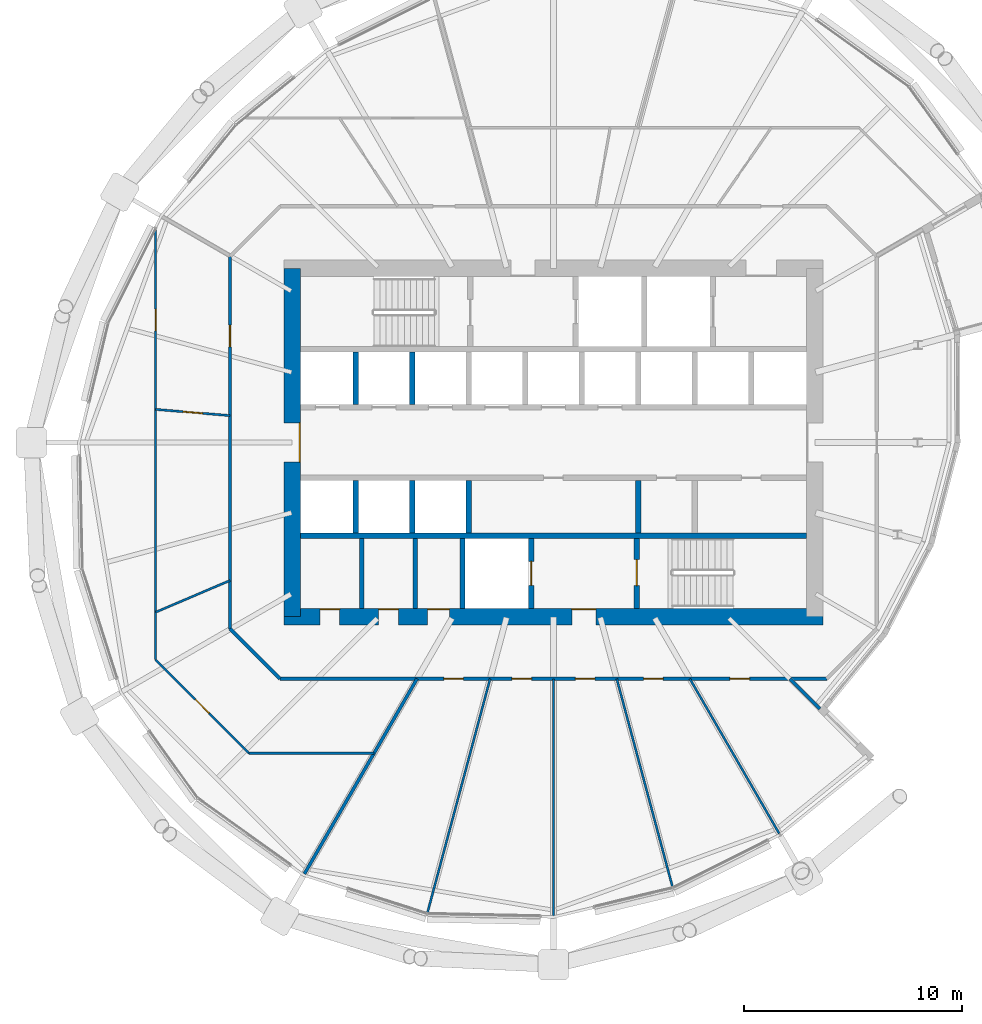
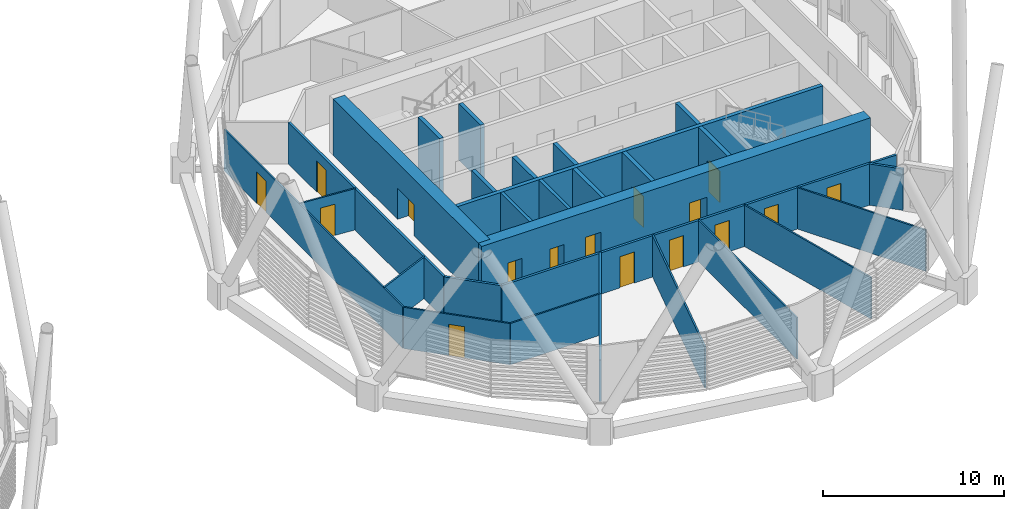
# One storey, part 30 of 39: 28 walls, 16 doors, 16 openings.
"""IFC4 building model written with IfcOpenShell, lengths in metres."""

from ifc_helpers import new_model, si_unit, direction, frame, frame_2d, origin, place, context, subcontext, project, spatial, rectangle, extrude, material, layer, layer_set, type_object, element, fill, save


model = new_model("IFC4")

# Units and contexts
model_context = context("Model", 3, precision=1e-05, world=origin(), true_north=direction((0.0, 1.0)))
body_context = subcontext(model_context, "Body", "Model", "MODEL_VIEW")
ifc_project = project(units=[si_unit("LENGTHUNIT", "METRE"), si_unit("AREAUNIT", "SQUARE_METRE"), si_unit("VOLUMEUNIT", "CUBIC_METRE"), si_unit("PLANEANGLEUNIT", "RADIAN"), si_unit("MASSUNIT", "GRAM", prefix="KILO")], contexts=[model_context])

# Site, building, storey
site_placement = place(None, origin())
site = spatial("IfcSite", under=ifc_project, at=site_placement, CompositionType="ELEMENT")
building_placement = place(site_placement, origin())
building = spatial("IfcBuilding", under=site, at=building_placement, Name="Rimbun Link Towers", CompositionType="ELEMENT")
storey_placement = place(building_placement, frame((0.0, 0.0, 115.800048828125)))
storey = spatial("IfcBuildingStorey", under=building, at=storey_placement, Name="L28", CompositionType="ELEMENT", Elevation=115.800048828125)

# Walls
ifc_material_1 = material(Name="Masonry blockwork", Category="masonry")
ifc_layer_1 = layer(ifc_material_1, 0.199951171875)
ifc_layer_set_1 = layer_set([ifc_layer_1], Name="Core partition 200")
wall_type_1 = type_object("IfcWallType", Name="Core partition 200", PredefinedType="PARTITIONING", material=ifc_layer_set_1)
for number, where, z_axis, x_axis, name in (
    (1, (22.949951171875, -4.39990234375, 0.0), (0.0, 0.0, 1.0), (0.0, -1.0, 0.0), "L28 T2 core wall C1"),
    (2, (25.39990234375, -4.39990234375, 0.0), (0.0, 0.0, 1.0), (0.0, -1.0, 0.0), "L28 T2 core wall C2"),
):
    element("IfcWall", number, at=place(storey_placement, frame(where, z_axis=z_axis, x_axis=x_axis)), inside=storey, type_object=wall_type_1, Name=name, PredefinedType="PARTITIONING", context=body_context, shape_type="SweptSolid", body=[
        extrude(rectangle(XDim=3.22509765625, YDim=0.199951171875, at=frame_2d((1.612548828125, 0.0))), origin(), (0.0, 0.0, 1.0), 3.800048828125),
    ])

# Wall, openings, doors
ifc_material_2 = material(Name="Concrete C60/75", Category="concrete")
ifc_layer_2 = layer(ifc_material_2, 0.75)
ifc_layer_set_2 = layer_set([ifc_layer_2], Name="Core shear wall 750")
wall_type_2 = type_object("IfcWallType", Name="Core shear wall 750", PredefinedType="SHEAR", material=ifc_layer_set_2)
wall_1_placement = place(storey_placement, frame((19.375, -8.0, 0.0), z_axis=(0.0, 0.0, 1.0), x_axis=(1.0, 0.0, 0.0)))
wall_1 = element("IfcWall", 3, at=wall_1_placement, inside=storey, type_object=wall_type_2, Name="L28 T2 core wall S", PredefinedType="SHEAR", context=body_context, shape_type="SweptSolid", body=[
    extrude(rectangle(XDim=24.75, YDim=0.75, at=frame_2d((12.375, 0.0))), origin(), (0.0, 0.0, 1.0), 3.800048828125),
])
opening_1_placement = place(wall_1_placement, frame((13.22509765625, 0.0, 0.0)))
opening_1 = element("IfcOpeningElement", 4, at=opening_1_placement, cuts=wall_1, Name="Opening C2DCF01S", PredefinedType="OPENING", context=body_context, shape_type="SweptSolid", body=[
    extrude(rectangle(XDim=1.10009765625, YDim=2.10009765625, at=frame_2d((0.550048828125, 1.050048828125))), frame((0.0, 0.385009765625, 0.0), z_axis=(0.0, -1.0, 0.0), x_axis=(1.0, 0.0, 0.0)), (0.0, 0.0, 1.0), 0.77001953125),
])
opening_2_placement = place(wall_1_placement, frame((1.66259765625, 0.0, 0.0)))
opening_2 = element("IfcOpeningElement", 5, at=opening_2_placement, cuts=wall_1, Name="Opening C2DWC02S", PredefinedType="OPENING", context=body_context, shape_type="SweptSolid", body=[
    extrude(rectangle(XDim=0.89990234375, YDim=2.10009765625, at=frame_2d((0.449951171875, 1.050048828125))), frame((0.0, 0.385009765625, 0.0), z_axis=(0.0, -1.0, 0.0), x_axis=(1.0, 0.0, 0.0)), (0.0, 0.0, 1.0), 0.77001953125),
])
opening_3_placement = place(wall_1_placement, frame((4.35009765625, 0.0, 0.0)))
opening_3 = element("IfcOpeningElement", 6, at=opening_3_placement, cuts=wall_1, Name="Opening C2DWC03S", PredefinedType="OPENING", context=body_context, shape_type="SweptSolid", body=[
    extrude(rectangle(XDim=0.89990234375, YDim=2.10009765625, at=frame_2d((0.449951171875, 1.050048828125))), frame((0.0, 0.385009765625, 0.0), z_axis=(0.0, -1.0, 0.0), x_axis=(1.0, 0.0, 0.0)), (0.0, 0.0, 1.0), 0.77001953125),
])
opening_4_placement = place(wall_1_placement, frame((6.60009765625, 0.0, 0.0)))
opening_4 = element("IfcOpeningElement", 7, at=opening_4_placement, cuts=wall_1, Name="Opening C2DAW04S", PredefinedType="OPENING", context=body_context, shape_type="SweptSolid", body=[
    extrude(rectangle(XDim=1.0, YDim=2.10009765625, at=frame_2d((0.5, 1.050048828125))), frame((0.0, 0.385009765625, 0.0), z_axis=(0.0, -1.0, 0.0), x_axis=(1.0, 0.0, 0.0)), (0.0, 0.0, 1.0), 0.77001953125),
])
ifc_material_3 = material(Name="Timber", Category="wood")
door_type_1 = type_object("IfcDoorType", Name="Accessible WC door", OperationType="SINGLE_SWING_LEFT", PredefinedType="DOOR", material=ifc_material_3)
door_1_placement = place(opening_4_placement, origin())
door_1 = element("IfcDoor", 8, at=door_1_placement, inside=storey, type_object=door_type_1, Name="L28 T2 accessible wc door", OperationType="SINGLE_SWING_RIGHT", OverallHeight=2.10009765625, OverallWidth=1.0, PredefinedType="DOOR", context=body_context, shape_type="SweptSolid", body=[
    extrude(rectangle(XDim=1.0, YDim=2.10009765625, at=frame_2d((0.5, 1.050048828125))), frame((0.0, 0.375, 0.0), z_axis=(0.0, -1.0, 0.0), x_axis=(1.0, 0.0, 0.0)), (0.0, 0.0, 1.0), 0.050048828125),
])
fill(opening_4, door_1)
ifc_material_4 = material(Name="Steel fire door set", Category="steel")
door_type_2 = type_object("IfcDoorType", Name="Core fire door single", OperationType="SINGLE_SWING_LEFT", PredefinedType="DOOR", material=ifc_material_4)
door_2_placement = place(opening_1_placement, origin())
door_2 = element("IfcDoor", 9, at=door_2_placement, inside=storey, type_object=door_type_2, Name="L28 T2 firefighting lobby s door", OperationType="SINGLE_SWING_RIGHT", OverallHeight=2.10009765625, OverallWidth=1.10009765625, PredefinedType="DOOR", context=body_context, shape_type="SweptSolid", body=[
    extrude(rectangle(XDim=1.10009765625, YDim=2.10009765625, at=frame_2d((0.550048828125, 1.050048828125))), frame((0.0, 0.375, 0.0), z_axis=(0.0, -1.0, 0.0), x_axis=(1.0, 0.0, 0.0)), (0.0, 0.0, 1.0), 0.050048828125),
])
fill(opening_1, door_2)
ifc_material_5 = material(Name="Timber", Category="wood")
door_type_3 = type_object("IfcDoorType", Name="WC door", OperationType="SINGLE_SWING_LEFT", PredefinedType="DOOR", material=ifc_material_5)
door_3_placement = place(opening_2_placement, origin())
door_3 = element("IfcDoor", 10, at=door_3_placement, inside=storey, type_object=door_type_3, Name="L28 T2 male wc door", OperationType="SINGLE_SWING_RIGHT", OverallHeight=2.10009765625, OverallWidth=0.89990234375, PredefinedType="DOOR", context=body_context, shape_type="SweptSolid", body=[
    extrude(rectangle(XDim=0.89990234375, YDim=2.10009765625, at=frame_2d((0.449951171875, 1.050048828125))), frame((0.0, 0.375, 0.0), z_axis=(0.0, -1.0, 0.0), x_axis=(1.0, 0.0, 0.0)), (0.0, 0.0, 1.0), 0.050048828125),
])
fill(opening_2, door_3)
door_4_placement = place(opening_3_placement, origin())
door_4 = element("IfcDoor", 11, at=door_4_placement, inside=storey, type_object=door_type_3, Name="L28 T2 female wc door", OperationType="SINGLE_SWING_RIGHT", OverallHeight=2.10009765625, OverallWidth=0.89990234375, PredefinedType="DOOR", context=body_context, shape_type="SweptSolid", body=[
    extrude(rectangle(XDim=0.89990234375, YDim=2.10009765625, at=frame_2d((0.449951171875, 1.050048828125))), frame((0.0, 0.375, 0.0), z_axis=(0.0, -1.0, 0.0), x_axis=(1.0, 0.0, 0.0)), (0.0, 0.0, 1.0), 0.050048828125),
])
fill(opening_3, door_4)

# Wall, opening, door
wall_2_placement = place(storey_placement, frame((19.75, -8.0, 0.0), z_axis=(0.0, 0.0, 1.0), x_axis=(0.0, 1.0, 0.0)))
wall_2 = element("IfcWall", 12, at=wall_2_placement, inside=storey, type_object=wall_type_2, Name="L28 T2 core wall W", PredefinedType="SHEAR", context=body_context, shape_type="SweptSolid", body=[
    extrude(rectangle(XDim=16.0, YDim=0.75, at=frame_2d((8.0, 0.0))), origin(), (0.0, 0.0, 1.0), 3.800048828125),
])
opening_5_placement = place(wall_2_placement, frame((7.10009765625, 0.0, 0.0)))
opening_5 = element("IfcOpeningElement", 13, at=opening_5_placement, cuts=wall_2, Name="Opening C2DCL01W", PredefinedType="OPENING", context=body_context, shape_type="SweptSolid", body=[
    extrude(rectangle(XDim=1.800048828125, YDim=2.10009765625, at=frame_2d((0.89990234375, 1.050048828125))), frame((0.0, 0.385009765625, 0.0), z_axis=(0.0, -1.0, 0.0), x_axis=(1.0, 0.0, 0.0)), (0.0, 0.0, 1.0), 0.77001953125),
])
ifc_material_6 = material(Name="Steel fire door set", Category="steel")
door_type_4 = type_object("IfcDoorType", Name="Core lobby door double", OperationType="DOUBLE_DOOR_SINGLE_SWING", PredefinedType="DOOR", material=ifc_material_6)
door_5_placement = place(opening_5_placement, origin())
door_5 = element("IfcDoor", 14, at=door_5_placement, inside=storey, type_object=door_type_4, Name="L28 T2 lift lobby door", OperationType="DOUBLE_DOOR_SINGLE_SWING", OverallHeight=2.10009765625, OverallWidth=1.800048828125, PredefinedType="DOOR", context=body_context, shape_type="SweptSolid", body=[
    extrude(rectangle(XDim=1.800048828125, YDim=2.10009765625, at=frame_2d((0.89990234375, 1.050048828125))), frame((0.0, -0.3251953125, 0.0), z_axis=(0.0, -1.0, 0.0), x_axis=(1.0, 0.0, 0.0)), (0.0, 0.0, 1.0), 0.050048828125),
])
fill(opening_5, door_5)

# Wall, openings, doors
ifc_material_7 = material(Name="Plasterboard on steel stud, mineral wool", Category="steel")
ifc_layer_3 = layer(ifc_material_7, 0.14990234375)
ifc_layer_set_3 = layer_set([ifc_layer_3], Name="Corridor wall EI 30 150 mm")
wall_type_3 = type_object("IfcWallType", Name="Corridor wall EI 30 150 mm", PredefinedType="PARTITIONING", material=ifc_layer_set_3)
wall_3_placement = place(storey_placement, frame((44.3017578125, -10.85009765625, 0.0), z_axis=(0.0, 0.0, 1.0), x_axis=(-1.0, 0.0, 0.0)))
wall_3 = element("IfcWall", 15, at=wall_3_placement, inside=storey, type_object=wall_type_3, Name="Corridor wall EI 30 150 mm", PredefinedType="PARTITIONING", context=body_context, shape_type="SweptSolid", body=[
    extrude(rectangle(XDim=25.103515625, YDim=0.14990234375, at=frame_2d((12.5517578125, 0.0))), origin(), (0.0, 0.0, 1.0), 2.779052734375),
])
opening_6_placement = place(wall_3_placement, frame((16.6875, 0.0, 0.0)))
opening_6 = element("IfcOpeningElement", 16, at=opening_6_placement, cuts=wall_3, Name="Opening D02", PredefinedType="OPENING", context=body_context, shape_type="SweptSolid", body=[
    extrude(rectangle(XDim=0.89990234375, YDim=2.10009765625, at=frame_2d((0.449951171875, 1.050048828125))), frame((0.0, 0.0849609375, 0.0), z_axis=(0.0, -1.0, 0.0), x_axis=(1.0, 0.0, 0.0)), (0.0, 0.0, 1.0), 0.169921875),
])
opening_7_placement = place(wall_3_placement, frame((13.555419921875, 0.0, 0.0)))
opening_7 = element("IfcOpeningElement", 17, at=opening_7_placement, cuts=wall_3, Name="Opening D02", PredefinedType="OPENING", context=body_context, shape_type="SweptSolid", body=[
    extrude(rectangle(XDim=0.89990234375, YDim=2.10009765625, at=frame_2d((0.449951171875, 1.050048828125))), frame((0.0, 0.0849609375, 0.0), z_axis=(0.0, -1.0, 0.0), x_axis=(1.0, 0.0, 0.0)), (0.0, 0.0, 1.0), 0.169921875),
])
opening_8_placement = place(wall_3_placement, frame((10.648193359375, 0.0, 0.0)))
opening_8 = element("IfcOpeningElement", 18, at=opening_8_placement, cuts=wall_3, Name="Opening D02", PredefinedType="OPENING", context=body_context, shape_type="SweptSolid", body=[
    extrude(rectangle(XDim=0.89990234375, YDim=2.10009765625, at=frame_2d((0.449951171875, 1.050048828125))), frame((0.0, 0.0849609375, 0.0), z_axis=(0.0, -1.0, 0.0), x_axis=(1.0, 0.0, 0.0)), (0.0, 0.0, 1.0), 0.169921875),
])
opening_9_placement = place(wall_3_placement, frame((7.515869140625, 0.0, 0.0)))
opening_9 = element("IfcOpeningElement", 19, at=opening_9_placement, cuts=wall_3, Name="Opening D02", PredefinedType="OPENING", context=body_context, shape_type="SweptSolid", body=[
    extrude(rectangle(XDim=0.89990234375, YDim=2.10009765625, at=frame_2d((0.449951171875, 1.050048828125))), frame((0.0, 0.0849609375, 0.0), z_axis=(0.0, -1.0, 0.0), x_axis=(1.0, 0.0, 0.0)), (0.0, 0.0, 1.0), 0.169921875),
])
opening_10_placement = place(wall_3_placement, frame((3.544677734375, 0.0, 0.0)))
opening_10 = element("IfcOpeningElement", 20, at=opening_10_placement, cuts=wall_3, Name="Opening D02", PredefinedType="OPENING", context=body_context, shape_type="SweptSolid", body=[
    extrude(rectangle(XDim=0.89990234375, YDim=2.10009765625, at=frame_2d((0.449951171875, 1.050048828125))), frame((0.0, 0.0849609375, 0.0), z_axis=(0.0, -1.0, 0.0), x_axis=(1.0, 0.0, 0.0)), (0.0, 0.0, 1.0), 0.169921875),
])
ifc_material_8 = material(Name="Fire-resisting timber door leaf", Category="wood")
door_type_5 = type_object("IfcDoorType", Name="Fire door FD30S 900", OperationType="NOTDEFINED", PredefinedType="DOOR", material=ifc_material_8)
door_6_placement = place(opening_6_placement, origin())
door_6 = element("IfcDoor", 21, at=door_6_placement, inside=storey, type_object=door_type_5, Name="Fire door FD30S 900 to Cellular office", OperationType="SINGLE_SWING_RIGHT", OverallHeight=2.10009765625, OverallWidth=0.89990234375, PredefinedType="DOOR", context=body_context, shape_type="SweptSolid", body=[
    extrude(rectangle(XDim=0.89990234375, YDim=2.10009765625, at=frame_2d((0.449951171875, 1.050048828125))), frame((0.0, 0.02490234375, 0.0), z_axis=(0.0, -1.0, 0.0), x_axis=(1.0, 0.0, 0.0)), (0.0, 0.0, 1.0), 0.050048828125),
])
fill(opening_6, door_6)
door_7_placement = place(opening_7_placement, origin())
door_7 = element("IfcDoor", 22, at=door_7_placement, inside=storey, type_object=door_type_5, Name="Fire door FD30S 900 to Cellular office", OperationType="SINGLE_SWING_LEFT", OverallHeight=2.10009765625, OverallWidth=0.89990234375, PredefinedType="DOOR", context=body_context, shape_type="SweptSolid", body=[
    extrude(rectangle(XDim=0.89990234375, YDim=2.10009765625, at=frame_2d((0.449951171875, 1.050048828125))), frame((0.0, 0.02490234375, 0.0), z_axis=(0.0, -1.0, 0.0), x_axis=(1.0, 0.0, 0.0)), (0.0, 0.0, 1.0), 0.050048828125),
])
fill(opening_7, door_7)
door_8_placement = place(opening_8_placement, origin())
door_8 = element("IfcDoor", 23, at=door_8_placement, inside=storey, type_object=door_type_5, Name="Fire door FD30S 900 to Cellular office", OperationType="SINGLE_SWING_RIGHT", OverallHeight=2.10009765625, OverallWidth=0.89990234375, PredefinedType="DOOR", context=body_context, shape_type="SweptSolid", body=[
    extrude(rectangle(XDim=0.89990234375, YDim=2.10009765625, at=frame_2d((0.449951171875, 1.050048828125))), frame((0.0, 0.02490234375, 0.0), z_axis=(0.0, -1.0, 0.0), x_axis=(1.0, 0.0, 0.0)), (0.0, 0.0, 1.0), 0.050048828125),
])
fill(opening_8, door_8)
door_9_placement = place(opening_9_placement, origin())
door_9 = element("IfcDoor", 24, at=door_9_placement, inside=storey, type_object=door_type_5, Name="Fire door FD30S 900 to Cellular office", OperationType="SINGLE_SWING_LEFT", OverallHeight=2.10009765625, OverallWidth=0.89990234375, PredefinedType="DOOR", context=body_context, shape_type="SweptSolid", body=[
    extrude(rectangle(XDim=0.89990234375, YDim=2.10009765625, at=frame_2d((0.449951171875, 1.050048828125))), frame((0.0, 0.02490234375, 0.0), z_axis=(0.0, -1.0, 0.0), x_axis=(1.0, 0.0, 0.0)), (0.0, 0.0, 1.0), 0.050048828125),
])
fill(opening_9, door_9)
door_10_placement = place(opening_10_placement, origin())
door_10 = element("IfcDoor", 25, at=door_10_placement, inside=storey, type_object=door_type_5, Name="Fire door FD30S 900 to Meeting room", OperationType="SINGLE_SWING_RIGHT", OverallHeight=2.10009765625, OverallWidth=0.89990234375, PredefinedType="DOOR", context=body_context, shape_type="SweptSolid", body=[
    extrude(rectangle(XDim=0.89990234375, YDim=2.10009765625, at=frame_2d((0.449951171875, 1.050048828125))), frame((0.0, 0.02490234375, 0.0), z_axis=(0.0, -1.0, 0.0), x_axis=(1.0, 0.0, 0.0)), (0.0, 0.0, 1.0), 0.050048828125),
])
fill(opening_10, door_10)

# Wall
wall_4_placement = place(storey_placement, frame((16.89990234375, -8.5517578125, 0.0), z_axis=(0.0, 0.0, 1.0), x_axis=(0.707106781187, -0.707106781187, 0.0)))
element("IfcWall", 26, at=wall_4_placement, inside=storey, type_object=wall_type_3, Name="Corridor wall EI 30 150 mm", PredefinedType="PARTITIONING", context=body_context, shape_type="SweptSolid", body=[
    extrude(rectangle(XDim=3.250244140625, YDim=0.14990234375, at=frame_2d((1.625, 0.0))), origin(), (0.0, 0.0, 1.0), 2.779052734375),
])

# Wall, opening, door
wall_5_placement = place(storey_placement, frame((16.89990234375, -8.5517578125, 0.0), z_axis=(0.0, 0.0, 1.0), x_axis=(0.0, 1.0, 0.0)))
wall_5 = element("IfcWall", 27, at=wall_5_placement, inside=storey, type_object=wall_type_3, Name="Corridor wall EI 30 150 mm", PredefinedType="PARTITIONING", context=body_context, shape_type="SweptSolid", body=[
    extrude(rectangle(XDim=17.103515625, YDim=0.14990234375, at=frame_2d((8.5517578125, 0.0))), origin(), (0.0, 0.0, 1.0), 2.779052734375),
])
opening_11_placement = place(wall_5_placement, frame((12.9453125, 0.0, 0.0)))
opening_11 = element("IfcOpeningElement", 28, at=opening_11_placement, cuts=wall_5, Name="Opening D01", PredefinedType="OPENING", context=body_context, shape_type="SweptSolid", body=[
    extrude(rectangle(XDim=1.0, YDim=2.10009765625, at=frame_2d((0.5, 1.050048828125))), frame((0.0, 0.0849609375, 0.0), z_axis=(0.0, -1.0, 0.0), x_axis=(1.0, 0.0, 0.0)), (0.0, 0.0, 1.0), 0.169921875),
])
ifc_material_9 = material(Name="Fire-resisting timber door leaf", Category="wood")
door_type_6 = type_object("IfcDoorType", Name="Fire door FD30S 1000", OperationType="NOTDEFINED", PredefinedType="DOOR", material=ifc_material_9)
door_11_placement = place(opening_11_placement, origin())
door_11 = element("IfcDoor", 29, at=door_11_placement, inside=storey, type_object=door_type_6, Name="Fire door FD30S 1000 to Reception", OperationType="SINGLE_SWING_LEFT", OverallHeight=2.10009765625, OverallWidth=1.0, PredefinedType="DOOR", context=body_context, shape_type="SweptSolid", body=[
    extrude(rectangle(XDim=1.0, YDim=2.10009765625, at=frame_2d((0.5, 1.050048828125))), frame((0.0, 0.02490234375, 0.0), z_axis=(0.0, -1.0, 0.0), x_axis=(1.0, 0.0, 0.0)), (0.0, 0.0, 1.0), 0.050048828125),
])
fill(opening_11, door_11)

ifc_material_10 = material(Name="Plasterboard on steel stud", Category="steel")
ifc_layer_4 = layer(ifc_material_10, 0.10009765625)
ifc_layer_set_4 = layer_set([ifc_layer_4], Name="Plasterboard partition 100 mm")
wall_type_4 = type_object("IfcWallType", Name="Plasterboard partition 100 mm", PredefinedType="PARTITIONING", material=ifc_layer_set_4)
wall_6_placement = place(storey_placement, frame((16.89990234375, 1.23583984375, 0.0), z_axis=(0.0, 0.0, 1.0), x_axis=(-0.996553603916, 0.082951277996, 0.0)))
wall_6 = element("IfcWall", 30, at=wall_6_placement, inside=storey, type_object=wall_type_4, Name="Plasterboard partition 100 mm", PredefinedType="PARTITIONING", context=body_context, shape_type="SweptSolid", body=[
    extrude(rectangle(XDim=3.431640625, YDim=0.10009765625, at=frame_2d((1.7158203125, 0.0))), origin(), (0.0, 0.0, 1.0), 2.779052734375),
])
opening_12_placement = place(wall_6_placement, frame((1.265869140625, 0.0, 0.0)))
opening_12 = element("IfcOpeningElement", 31, at=opening_12_placement, cuts=wall_6, Name="Opening D04", PredefinedType="OPENING", context=body_context, shape_type="SweptSolid", body=[
    extrude(rectangle(XDim=0.89990234375, YDim=2.10009765625, at=frame_2d((0.449951171875, 1.050048828125))), frame((0.0, 0.06005859375, 0.0), z_axis=(0.0, -1.0, 0.0), x_axis=(1.0, 0.0, 0.0)), (0.0, 0.0, 1.0), 0.1201171875),
])
ifc_material_11 = material(Name="Timber door leaf", Category="wood")
door_type_7 = type_object("IfcDoorType", Name="Flush door 900", OperationType="NOTDEFINED", PredefinedType="DOOR", material=ifc_material_11)
door_12_placement = place(opening_12_placement, origin())
door_12 = element("IfcDoor", 32, at=door_12_placement, inside=storey, type_object=door_type_7, Name="Flush door 900 to Meeting room", OperationType="SINGLE_SWING_LEFT", OverallHeight=2.10009765625, OverallWidth=0.89990234375, PredefinedType="DOOR", context=body_context, shape_type="SweptSolid", body=[
    extrude(rectangle(XDim=0.89990234375, YDim=2.10009765625, at=frame_2d((0.449951171875, 1.050048828125))), frame((0.0, 0.02490234375, 0.0), z_axis=(0.0, -1.0, 0.0), x_axis=(1.0, 0.0, 0.0)), (0.0, 0.0, 1.0), 0.050048828125),
])
fill(opening_12, door_12)

wall_7_placement = place(storey_placement, frame((13.47998046875, -9.96826171875, 0.0), z_axis=(0.0, 0.0, 1.0), x_axis=(0.0, 1.0, 0.0)))
wall_7 = element("IfcWall", 33, at=wall_7_placement, inside=storey, type_object=wall_type_4, Name="Plasterboard partition 100 mm", PredefinedType="PARTITIONING", context=body_context, shape_type="SweptSolid", body=[
    extrude(rectangle(XDim=19.724609375, YDim=0.10009765625, at=frame_2d((9.8623046875, 0.0))), origin(), (0.0, 0.0, 1.0), 2.779052734375),
])
opening_13_placement = place(wall_7_placement, frame((15.091552734375, 0.0, 0.0)))
opening_13 = element("IfcOpeningElement", 34, at=opening_13_placement, cuts=wall_7, Name="Opening D03", PredefinedType="OPENING", context=body_context, shape_type="SweptSolid", body=[
    extrude(rectangle(XDim=1.0, YDim=2.10009765625, at=frame_2d((0.5, 1.050048828125))), frame((0.0, 0.06005859375, 0.0), z_axis=(0.0, -1.0, 0.0), x_axis=(1.0, 0.0, 0.0)), (0.0, 0.0, 1.0), 0.1201171875),
])
ifc_material_12 = material(Name="Timber door leaf", Category="wood")
door_type_8 = type_object("IfcDoorType", Name="Flush door 1000", OperationType="NOTDEFINED", PredefinedType="DOOR", material=ifc_material_12)
door_13_placement = place(opening_13_placement, origin())
door_13 = element("IfcDoor", 35, at=door_13_placement, inside=storey, type_object=door_type_8, Name="Flush door 1000 to Open office", OperationType="SINGLE_SWING_RIGHT", OverallHeight=2.10009765625, OverallWidth=1.0, PredefinedType="DOOR", context=body_context, shape_type="SweptSolid", body=[
    extrude(rectangle(XDim=1.0, YDim=2.10009765625, at=frame_2d((0.5, 1.050048828125))), frame((0.0, 0.02490234375, 0.0), z_axis=(0.0, -1.0, 0.0), x_axis=(1.0, 0.0, 0.0)), (0.0, 0.0, 1.0), 0.050048828125),
])
fill(opening_13, door_13)

# Wall
wall_8_placement = place(storey_placement, frame((13.47998046875, -7.793701171875, 0.0), z_axis=(0.0, 0.0, 1.0), x_axis=(0.919795864037, 0.392397207559, 0.0)))
element("IfcWall", 36, at=wall_8_placement, inside=storey, type_object=wall_type_4, Name="Plasterboard partition 100 mm", PredefinedType="PARTITIONING", context=body_context, shape_type="SweptSolid", body=[
    extrude(rectangle(XDim=3.718017578125, YDim=0.10009765625, at=frame_2d((1.85888671875, 0.0))), origin(), (0.0, 0.0, 1.0), 2.779052734375),
])

# Wall, opening, door
wall_9_placement = place(storey_placement, frame((13.47998046875, -9.96826171875, 0.0), z_axis=(0.0, 0.0, 1.0), x_axis=(0.707106781187, -0.707106781187, 0.0)))
wall_9 = element("IfcWall", 37, at=wall_9_placement, inside=storey, type_object=wall_type_4, Name="Plasterboard partition 100 mm", PredefinedType="PARTITIONING", context=body_context, shape_type="SweptSolid", body=[
    extrude(rectangle(XDim=6.08349609375, YDim=0.10009765625, at=frame_2d((3.041748046875, 0.0))), origin(), (0.0, 0.0, 1.0), 2.779052734375),
])
opening_14_placement = place(wall_9_placement, frame((2.591796875, 0.0, 0.0)))
opening_14 = element("IfcOpeningElement", 38, at=opening_14_placement, cuts=wall_9, Name="Opening D04", PredefinedType="OPENING", context=body_context, shape_type="SweptSolid", body=[
    extrude(rectangle(XDim=0.89990234375, YDim=2.10009765625, at=frame_2d((0.449951171875, 1.050048828125))), frame((0.0, 0.06005859375, 0.0), z_axis=(0.0, -1.0, 0.0), x_axis=(1.0, 0.0, 0.0)), (0.0, 0.0, 1.0), 0.1201171875),
])
door_14_placement = place(opening_14_placement, origin())
door_14 = element("IfcDoor", 39, at=door_14_placement, inside=storey, type_object=door_type_7, Name="Flush door 900 to Print room", OperationType="SINGLE_SWING_LEFT", OverallHeight=2.10009765625, OverallWidth=0.89990234375, PredefinedType="DOOR", context=body_context, shape_type="SweptSolid", body=[
    extrude(rectangle(XDim=0.89990234375, YDim=2.10009765625, at=frame_2d((0.449951171875, 1.050048828125))), frame((0.0, 0.02490234375, 0.0), z_axis=(0.0, -1.0, 0.0), x_axis=(1.0, 0.0, 0.0)), (0.0, 0.0, 1.0), 0.050048828125),
])
fill(opening_14, door_14)

# Walls
wall_10_placement = place(storey_placement, frame((17.78173828125, -14.27001953125, 0.0), z_axis=(0.0, 0.0, 1.0), x_axis=(1.0, 0.0, 0.0)))
element("IfcWall", 40, at=wall_10_placement, inside=storey, type_object=wall_type_4, Name="Plasterboard partition 100 mm", PredefinedType="PARTITIONING", context=body_context, shape_type="SweptSolid", body=[
    extrude(rectangle(XDim=5.7294921875, YDim=0.10009765625, at=frame_2d((2.86474609375, 0.0))), origin(), (0.0, 0.0, 1.0), 2.779052734375),
])
wall_11_placement = place(storey_placement, frame((25.960205078125, -21.6083984375, 0.0), z_axis=(0.0, 0.0, 1.0), x_axis=(0.258809859966, 0.965928287392, 0.0)))
element("IfcWall", 41, at=wall_11_placement, inside=storey, type_object=wall_type_4, Name="Plasterboard partition 100 mm", PredefinedType="PARTITIONING", context=body_context, shape_type="SweptSolid", body=[
    extrude(rectangle(XDim=11.1376953125, YDim=0.10009765625, at=frame_2d((5.56884765625, 0.0))), origin(), (0.0, 0.0, 1.0), 2.779052734375),
])
wall_12_placement = place(storey_placement, frame((31.75, -21.730224609375, 0.0), z_axis=(0.0, 0.0, 1.0), x_axis=(0.0, 1.0, 0.0)))
element("IfcWall", 42, at=wall_12_placement, inside=storey, type_object=wall_type_4, Name="Plasterboard partition 100 mm", PredefinedType="PARTITIONING", context=body_context, shape_type="SweptSolid", body=[
    extrude(rectangle(XDim=10.880126953125, YDim=0.10009765625, at=frame_2d((5.43994140625, 0.0))), origin(), (0.0, 0.0, 1.0), 2.779052734375),
])
wall_13_placement = place(storey_placement, frame((37.221923828125, -20.421630859375, 0.0), z_axis=(0.0, 0.0, 1.0), x_axis=(-0.258820238395, 0.965925506547, 0.0)))
element("IfcWall", 43, at=wall_13_placement, inside=storey, type_object=wall_type_4, Name="Plasterboard partition 100 mm", PredefinedType="PARTITIONING", context=body_context, shape_type="SweptSolid", body=[
    extrude(rectangle(XDim=9.9091796875, YDim=0.10009765625, at=frame_2d((4.95458984375, 0.0))), origin(), (0.0, 0.0, 1.0), 2.779052734375),
])
wall_14_placement = place(storey_placement, frame((42.1201171875, -17.961669921875, 0.0), z_axis=(0.0, 0.0, 1.0), x_axis=(-0.499985818453, 0.866033591349, 0.0)))
element("IfcWall", 44, at=wall_14_placement, inside=storey, type_object=wall_type_4, Name="Plasterboard partition 100 mm", PredefinedType="PARTITIONING", context=body_context, shape_type="SweptSolid", body=[
    extrude(rectangle(XDim=8.211669921875, YDim=0.10009765625, at=frame_2d((4.10595703125, 0.0))), origin(), (0.0, 0.0, 1.0), 2.779052734375),
])
ifc_material_13 = material(Name="Concrete C60/75", Category="concrete")
ifc_layer_5 = layer(ifc_material_13, 0.25)
ifc_layer_set_5 = layer_set([ifc_layer_5], Name="Shaft wall 250")
wall_type_5 = type_object("IfcWallType", Name="Shaft wall 250", PredefinedType="SHEAR", material=ifc_layer_set_5)
wall_15_placement = place(storey_placement, frame((20.125, -4.27490234375, 0.0), z_axis=(0.0, 0.0, 1.0), x_axis=(1.0, 0.0, 0.0)))
element("IfcWall", 45, at=wall_15_placement, inside=storey, type_object=wall_type_5, Name="L28 T2 core wall BS", PredefinedType="SHEAR", context=body_context, shape_type="SweptSolid", body=[
    extrude(rectangle(XDim=23.25, YDim=0.25, at=frame_2d((11.625, 0.0))), origin(), (0.0, 0.0, 1.0), 3.800048828125),
])
for number, where, z_axis, x_axis, name in (
    (46, (22.66943359375, 1.75, 0.0), (0.0, 0.0, 1.0), (0.0, 1.0, 0.0), "L28 T2 core wall DN0"),
    (47, (25.263916015625, 1.75, 0.0), (0.0, 0.0, 1.0), (0.0, 1.0, 0.0), "L28 T2 core wall DN1"),
    (48, (22.66943359375, -4.14990234375, 0.0), (0.0, 0.0, 1.0), (0.0, 1.0, 0.0), "L28 T2 core wall DS0"),
    (49, (25.263916015625, -4.14990234375, 0.0), (0.0, 0.0, 1.0), (0.0, 1.0, 0.0), "L28 T2 core wall DS1"),
    (50, (27.8583984375, -4.14990234375, 0.0), (0.0, 0.0, 1.0), (0.0, 1.0, 0.0), "L28 T2 core wall DS2"),
    (51, (35.6416015625, -4.14990234375, 0.0), (0.0, 0.0, 1.0), (0.0, 1.0, 0.0), "L28 T2 core wall DS5"),
):
    element("IfcWall", number, at=place(storey_placement, frame(where, z_axis=z_axis, x_axis=x_axis)), inside=storey, type_object=wall_type_5, Name=name, PredefinedType="SHEAR", context=body_context, shape_type="SweptSolid", body=[
        extrude(rectangle(XDim=2.39990234375, YDim=0.25, at=frame_2d((1.199951171875, 0.0))), origin(), (0.0, 0.0, 1.0), 3.800048828125),
    ])

# Wall, opening, door
wall_16_placement = place(storey_placement, frame((35.574951171875, -4.39990234375, 0.0), z_axis=(0.0, 0.0, 1.0), x_axis=(0.0, -1.0, 0.0)))
wall_16 = element("IfcWall", 52, at=wall_16_placement, inside=storey, type_object=wall_type_5, Name="L28 T2 core wall B1", PredefinedType="SHEAR", context=body_context, shape_type="SweptSolid", body=[
    extrude(rectangle(XDim=3.22509765625, YDim=0.25, at=frame_2d((1.612548828125, 0.0))), origin(), (0.0, 0.0, 1.0), 3.800048828125),
])
opening_15_placement = place(wall_16_placement, frame((0.97509765625, 0.0, 0.0)))
opening_15 = element("IfcOpeningElement", 53, at=opening_15_placement, cuts=wall_16, Name="Opening C2DST01B1", PredefinedType="OPENING", context=body_context, shape_type="SweptSolid", body=[
    extrude(rectangle(XDim=1.199951171875, YDim=2.10009765625, at=frame_2d((0.60009765625, 1.050048828125))), frame((0.0, 0.135009765625, 0.0), z_axis=(0.0, -1.0, 0.0), x_axis=(1.0, 0.0, 0.0)), (0.0, 0.0, 1.0), 0.27001953125),
])
ifc_material_14 = material(Name="Steel fire door set", Category="steel")
door_type_9 = type_object("IfcDoorType", Name="Stair door", OperationType="SINGLE_SWING_LEFT", PredefinedType="DOOR", material=ifc_material_14)
door_15_placement = place(opening_15_placement, origin())
door_15 = element("IfcDoor", 54, at=door_15_placement, inside=storey, type_object=door_type_9, Name="L28 T2 stair b door", OperationType="SINGLE_SWING_RIGHT", OverallHeight=2.10009765625, OverallWidth=1.199951171875, PredefinedType="DOOR", context=body_context, shape_type="SweptSolid", body=[
    extrude(rectangle(XDim=1.199951171875, YDim=2.10009765625, at=frame_2d((0.60009765625, 1.050048828125))), frame((0.0, 0.02490234375, 0.0), z_axis=(0.0, -1.0, 0.0), x_axis=(1.0, 0.0, 0.0)), (0.0, 0.0, 1.0), 0.050048828125),
])
fill(opening_15, door_15)

wall_17_placement = place(storey_placement, frame((30.72509765625, -4.39990234375, 0.0), z_axis=(0.0, 0.0, 1.0), x_axis=(0.0, -1.0, 0.0)))
wall_17 = element("IfcWall", 55, at=wall_17_placement, inside=storey, type_object=wall_type_5, Name="L28 T2 core wall B2", PredefinedType="SHEAR", context=body_context, shape_type="SweptSolid", body=[
    extrude(rectangle(XDim=3.22509765625, YDim=0.25, at=frame_2d((1.612548828125, 0.0))), origin(), (0.0, 0.0, 1.0), 3.800048828125),
])
opening_16_placement = place(wall_17_placement, frame((1.0625, 0.0, 0.0)))
opening_16 = element("IfcOpeningElement", 56, at=opening_16_placement, cuts=wall_17, Name="Opening LD-T2-FF2", PredefinedType="OPENING", context=body_context, shape_type="SweptSolid", body=[
    extrude(rectangle(XDim=1.10009765625, YDim=2.10009765625, at=frame_2d((0.550048828125, 1.050048828125))), frame((0.0, 0.135009765625, 0.0), z_axis=(0.0, -1.0, 0.0), x_axis=(1.0, 0.0, 0.0)), (0.0, 0.0, 1.0), 0.27001953125),
])
ifc_material_15 = material(Name="Stainless steel grade 316", Category="steel")
door_type_10 = type_object("IfcDoorType", Name="Lift landing door", OperationType="DOUBLE_DOOR_SLIDING", PredefinedType="DOOR", material=ifc_material_15)
door_16_placement = place(opening_16_placement, origin())
door_16 = element("IfcDoor", 57, at=door_16_placement, inside=storey, type_object=door_type_10, Name="L28 T2 lift FF2 landing door", OperationType="DOUBLE_DOOR_SLIDING", OverallHeight=2.10009765625, OverallWidth=1.10009765625, PredefinedType="DOOR", context=body_context, shape_type="SweptSolid", body=[
    extrude(rectangle(XDim=1.10009765625, YDim=2.10009765625, at=frame_2d((0.550048828125, 1.050048828125))), frame((0.0, 0.02490234375, 0.0), z_axis=(0.0, -1.0, 0.0), x_axis=(1.0, 0.0, 0.0)), (0.0, 0.0, 1.0), 0.050048828125),
])
fill(opening_16, door_16)

# Walls
wall_18_placement = place(storey_placement, frame((27.574951171875, -4.39990234375, 0.0), z_axis=(0.0, 0.0, 1.0), x_axis=(0.0, -1.0, 0.0)))
element("IfcWall", 58, at=wall_18_placement, inside=storey, type_object=wall_type_5, Name="L28 T2 core wall B3", PredefinedType="SHEAR", context=body_context, shape_type="SweptSolid", body=[
    extrude(rectangle(XDim=3.22509765625, YDim=0.25, at=frame_2d((1.612548828125, 0.0))), origin(), (0.0, 0.0, 1.0), 3.800048828125),
])
ifc_material_16 = material(Name="Plasterboard on steel stud, mineral wool", Category="steel")
ifc_layer_6 = layer(ifc_material_16, 0.14990234375)
ifc_layer_set_6 = layer_set([ifc_layer_6], Name="Tenancy separation wall EI 60 150 mm")
wall_type_6 = type_object("IfcWallType", Name="Tenancy separation wall EI 60 150 mm", PredefinedType="PARTITIONING", material=ifc_layer_set_6)
wall_19_placement = place(storey_placement, frame((25.48583984375, -10.85009765625, 0.0), z_axis=(0.0, 0.0, 1.0), x_axis=(-0.50001108209, -0.866019005442, 0.0)))
element("IfcWall", 59, at=wall_19_placement, inside=storey, type_object=wall_type_6, Name="Tenancy separation wall EI 60 150 mm", PredefinedType="PARTITIONING", context=body_context, shape_type="SweptSolid", body=[
    extrude(rectangle(XDim=10.348388671875, YDim=0.14990234375, at=frame_2d((5.17431640625, 0.0))), origin(), (0.0, 0.0, 1.0), 2.779052734375),
])
wall_20_placement = place(storey_placement, frame((42.60009765625, -10.85009765625, 0.0), z_axis=(0.0, 0.0, 1.0), x_axis=(0.707106781187, -0.707106781187, 0.0)))
element("IfcWall", 60, at=wall_20_placement, inside=storey, type_object=wall_type_6, Name="Tenancy separation wall EI 60 150 mm", PredefinedType="PARTITIONING", context=body_context, shape_type="SweptSolid", body=[
    extrude(rectangle(XDim=1.954833984375, YDim=0.14990234375, at=frame_2d((0.9775390625, 0.0))), origin(), (0.0, 0.0, 1.0), 2.779052734375),
])

save(model, "model.ifc")
